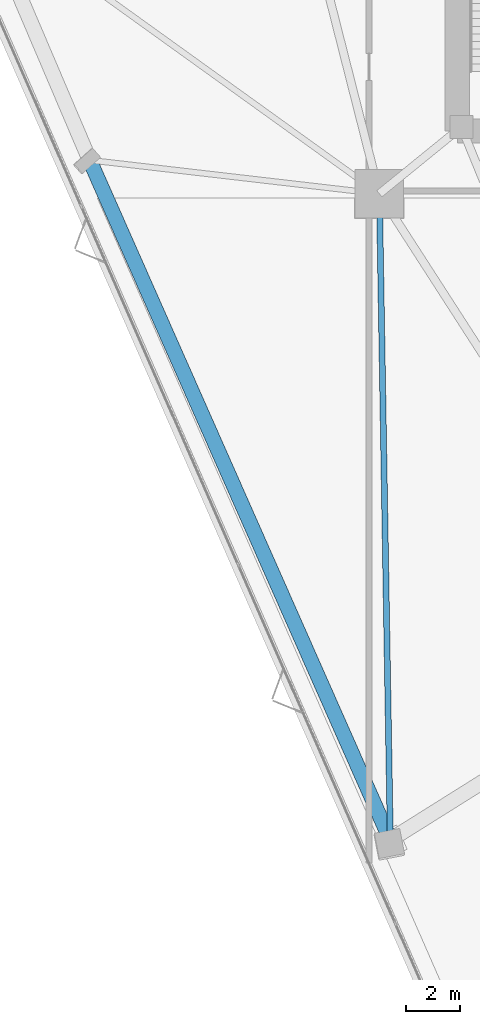
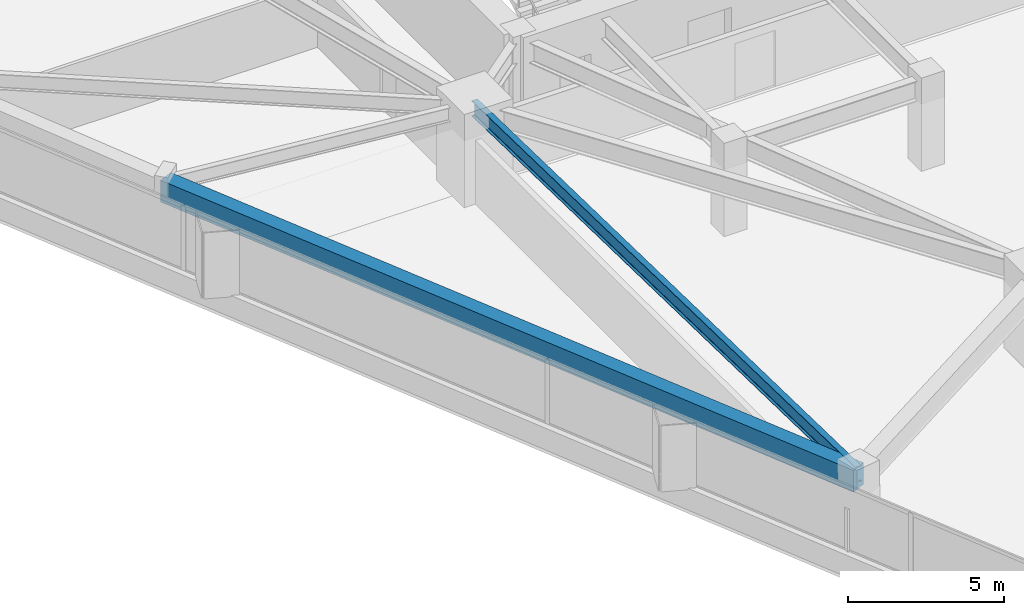
# One storey, part 3 of 21: 2 beams.
"""IFC4 building model written with IfcOpenShell, lengths in metres."""

from ifc_helpers import new_model, si_unit, direction, frame, origin, origin_2d, place, context, subcontext, project, spatial, rectangle, i_section, extrude, material, material_profile, profile_set, type_object, element, save


model = new_model("IFC4")

# Units and contexts
model_context = context("Model", 3, precision=1e-05, world=origin(), true_north=direction((0.0, 1.0)))
body_context = subcontext(model_context, "Body", "Model", "MODEL_VIEW")
ifc_project = project(units=[si_unit("LENGTHUNIT", "METRE"), si_unit("AREAUNIT", "SQUARE_METRE"), si_unit("VOLUMEUNIT", "CUBIC_METRE"), si_unit("PLANEANGLEUNIT", "RADIAN"), si_unit("MASSUNIT", "GRAM", prefix="KILO")], contexts=[model_context])

# Site, building, storey
site_placement = place(None, origin())
site = spatial("IfcSite", under=ifc_project, at=site_placement, CompositionType="ELEMENT")
building_placement = place(site_placement, origin())
building = spatial("IfcBuilding", under=site, at=building_placement, Name="Talyreon Biosciences Tower", CompositionType="ELEMENT")
storey_placement = place(building_placement, frame((0.0, 0.0, 33.75)))
storey = spatial("IfcBuildingStorey", under=building, at=storey_placement, Name="L08", CompositionType="ELEMENT", Elevation=33.75)

# Beams
ifc_material_1 = material(Name="Precast concrete C45/55", Category="concrete")
ifc_material_profile_1 = material_profile(ifc_material_1, rectangle(XDim=0.550048828125, YDim=0.85009765625, at=origin_2d()), Name="RCB 550x850")
ifc_profile_set_1 = profile_set([ifc_material_profile_1], Name="Precast concrete C45/55")
beam_type_1 = type_object("IfcBeamType", Name="ExpressedSpandrel_550x850", PredefinedType="SPANDREL", material=ifc_profile_set_1)
beam_1_placement = place(storey_placement, frame((44.190185546875, 60.1240234375, 2.949951171875), z_axis=(0.404543698224, -0.914518669152, 0.0), x_axis=(0.914518669152, 0.404543698224, 0.0)))
element("IfcBeam", 1, at=beam_1_placement, inside=storey, type_object=beam_type_1, Name="L08 Expressed Horizontal Concrete Spandrel 11", PredefinedType="SPANDREL", context=body_context, shape_type="SweptSolid", body=[
    extrude(rectangle(XDim=0.550048828125, YDim=0.85009765625, at=origin_2d()), origin(), (0.0, 0.0, 1.0), 27.509765625),
])
ifc_material_2 = material(Name="Steel SM355", Category="steel")
ifc_material_profile_2 = material_profile(ifc_material_2, i_section(OverallWidth=0.219970703125, OverallDepth=0.60009765625, WebThickness=0.011962890625, FlangeThickness=0.01904296875, FilletRadius=0.02392578125, at=origin_2d()), Name="IPE600")
ifc_profile_set_2 = profile_set([ifc_material_profile_2], Name="Steel SM355")
beam_type_2 = type_object("IfcBeamType", Name="SteelJoist_IPE600", PredefinedType="JOIST", material=ifc_profile_set_2)
beam_2_placement = place(storey_placement, frame((54.913818359375, 58.88037109375, 3.074951171875), z_axis=(0.016944297142, -0.999856435092, 0.0), x_axis=(0.999856435092, 0.016944297142, 0.0)))
element("IfcBeam", 2, at=beam_2_placement, inside=storey, type_object=beam_type_2, Name="L08 Radial Composite Floor Joist PC-SW2", PredefinedType="JOIST", context=body_context, shape_type="SweptSolid", body=[
    extrude(i_section(OverallWidth=0.219970703125, OverallDepth=0.60009765625, WebThickness=0.011962890625, FlangeThickness=0.01904296875, FilletRadius=0.02392578125, at=origin_2d()), origin(), (0.0, 0.0, 1.0), 23.91796875),
])

save(model, "model.ifc")
